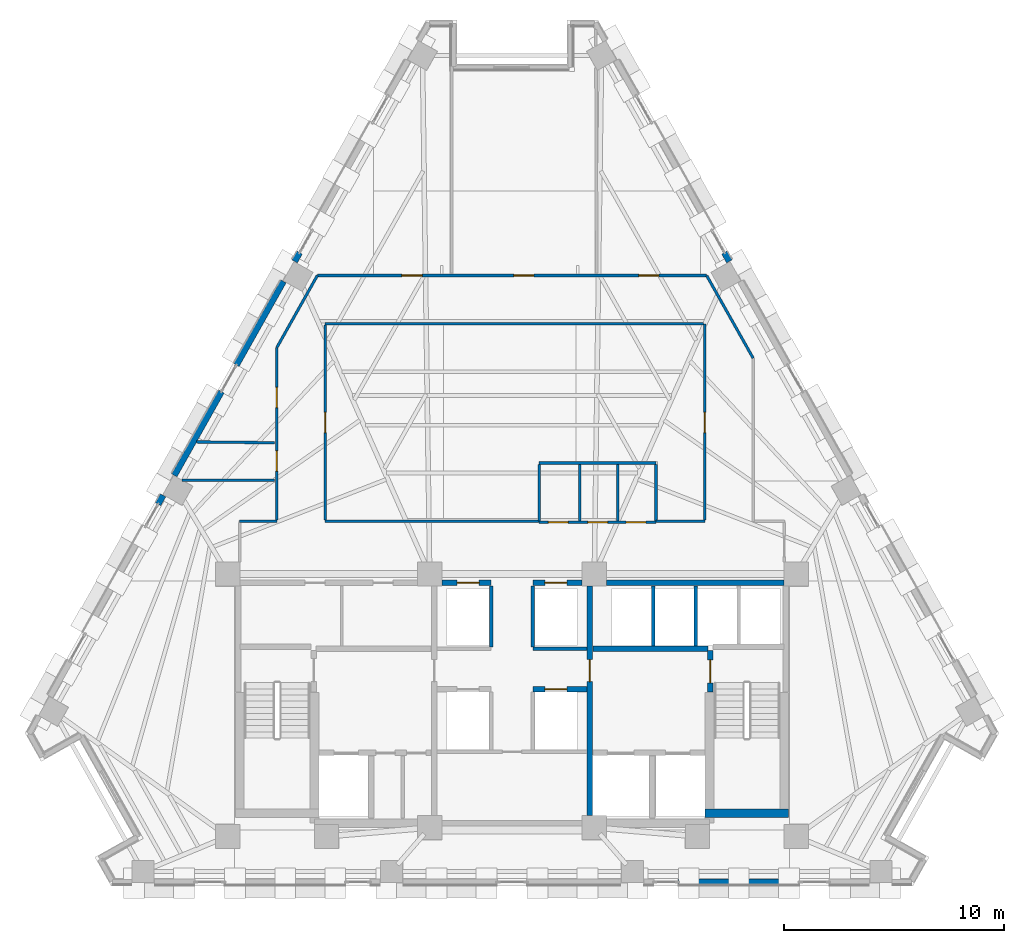
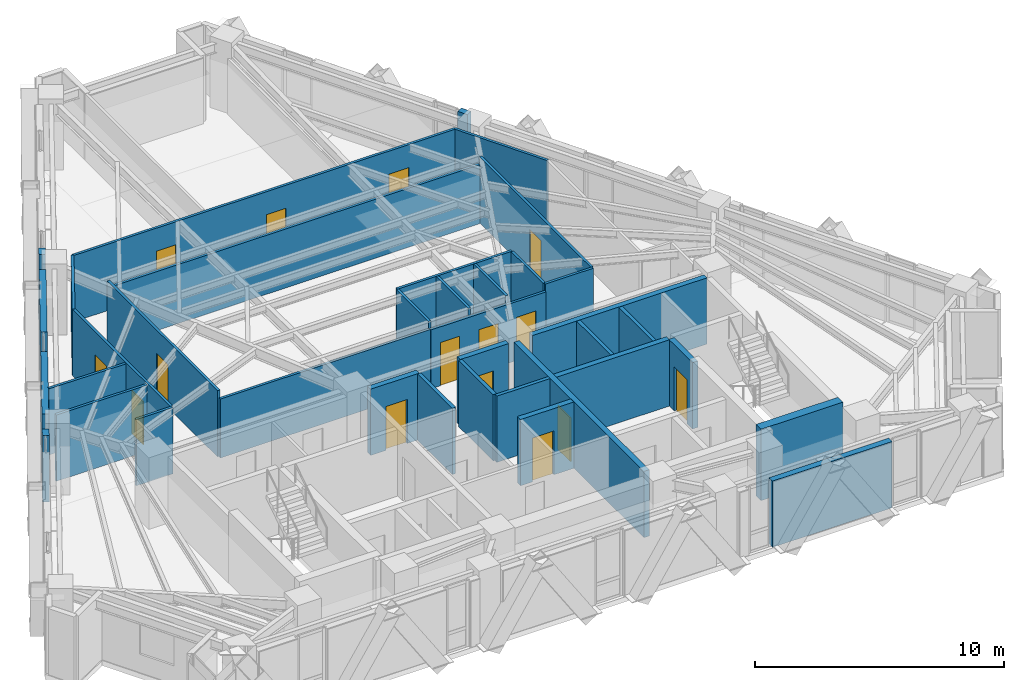
# One storey, part 8 of 13: 37 walls, 15 doors, 15 openings.
"""IFC4 building model written with IfcOpenShell, lengths in metres."""

from ifc_helpers import new_model, si_unit, direction, frame, frame_2d, origin, place, context, subcontext, project, spatial, rectangle, extrude, material, layer, layer_set, type_object, element, fill, save


model = new_model("IFC4")

# Units and contexts
model_context = context("Model", 3, precision=1e-05, world=origin(), true_north=direction((0.0, 1.0)))
body_context = subcontext(model_context, "Body", "Model", "MODEL_VIEW")
ifc_project = project(units=[si_unit("LENGTHUNIT", "METRE"), si_unit("AREAUNIT", "SQUARE_METRE"), si_unit("VOLUMEUNIT", "CUBIC_METRE"), si_unit("PLANEANGLEUNIT", "RADIAN"), si_unit("MASSUNIT", "GRAM", prefix="KILO")], contexts=[model_context])

# Site, building, storey
site_placement = place(None, origin())
site = spatial("IfcSite", under=ifc_project, at=site_placement, CompositionType="ELEMENT")
building_placement = place(site_placement, origin())
building = spatial("IfcBuilding", under=site, at=building_placement, Name="Quenlor Broadcast Tower", CompositionType="ELEMENT")
storey_placement = place(building_placement, frame((0.0, 0.0, 158.0)))
storey = spatial("IfcBuildingStorey", under=building, at=storey_placement, Name="L43", CompositionType="ELEMENT", Elevation=158.0)

# Wall
ifc_material_1 = material(Name="Concrete C50/60", Category="concrete")
ifc_layer_1 = layer(ifc_material_1, 0.39990234375)
ifc_layer_set_1 = layer_set([ifc_layer_1], Name="Core Concrete C50/60 Shear Wall 400")
wall_type_1 = type_object("IfcWallType", Name="Core Concrete C50/60 Shear Wall 400", PredefinedType="SHEAR", material=ifc_layer_set_1)
wall_1_placement = place(storey_placement, frame((8.800048828125, -15.699951171875, 0.0), z_axis=(0.0, 0.0, 1.0), x_axis=(1.0, 0.0, 0.0)))
element("IfcWall", 1, at=wall_1_placement, inside=storey, type_object=wall_type_1, Name="L43 Core Shear Wall WS-E2", PredefinedType="SHEAR", context=body_context, shape_type="SweptSolid", body=[
    extrude(rectangle(XDim=3.800048828125, YDim=0.39990234375, at=frame_2d((1.89990234375, 0.0))), origin(), (0.0, 0.0, 1.0), 3.5),
])

# Wall, opening, door
ifc_material_2 = material(Name="Concrete C40/50", Category="concrete")
ifc_layer_2 = layer(ifc_material_2, 0.25)
ifc_layer_set_2 = layer_set([ifc_layer_2], Name="Fire Rated Concrete C40/50 Core Wall 250")
wall_type_2 = type_object("IfcWallType", Name="Fire Rated Concrete C40/50 Core Wall 250", PredefinedType="PARTITIONING", material=ifc_layer_set_2)
wall_2_placement = place(storey_placement, frame((9.0400390625, -10.179931640625, 0.0), z_axis=(0.0, 0.0, 1.0), x_axis=(0.0, 1.0, 0.0)))
wall_2 = element("IfcWall", 2, at=wall_2_placement, inside=storey, type_object=wall_type_2, Name="L43 Interior Wall CW-ST2-DR", PredefinedType="PARTITIONING", context=body_context, shape_type="SweptSolid", body=[
    extrude(rectangle(XDim=1.89990234375, YDim=0.25, at=frame_2d((0.949951171875, 0.0))), origin(), (0.0, 0.0, 1.0), 3.25),
])
opening_1_placement = place(wall_2_placement, frame((0.419921875, 0.0, 0.0)))
opening_1 = element("IfcOpeningElement", 3, at=opening_1_placement, cuts=wall_2, Name="Opening FD-1", PredefinedType="OPENING", context=body_context, shape_type="SweptSolid", body=[
    extrude(rectangle(XDim=1.050048828125, YDim=2.14990234375, at=frame_2d((0.52490234375, 1.074951171875))), frame((0.0, 0.135009765625, 0.0), z_axis=(0.0, -1.0, 0.0), x_axis=(1.0, 0.0, 0.0)), (0.0, 0.0, 1.0), 0.27001953125),
])
ifc_material_3 = material(Name="Fire Rated Steel Door Leaf", Category="steel")
door_type_1 = type_object("IfcDoorType", Name="Fire Isolated Stair Door 1050x2150", OperationType="NOTDEFINED", PredefinedType="DOOR", material=ifc_material_3)
door_1_placement = place(opening_1_placement, origin())
door_1 = element("IfcDoor", 4, at=door_1_placement, inside=storey, type_object=door_type_1, Name="L43 Door DR-ST2", OperationType="SINGLE_SWING_RIGHT", OverallHeight=2.14990234375, OverallWidth=1.050048828125, PredefinedType="DOOR", context=body_context, shape_type="SweptSolid", body=[
    extrude(rectangle(XDim=1.050048828125, YDim=2.14990234375, at=frame_2d((0.52490234375, 1.074951171875))), frame((0.0, 0.02490234375, 0.0), z_axis=(0.0, -1.0, 0.0), x_axis=(1.0, 0.0, 0.0)), (0.0, 0.0, 1.0), 0.050048828125),
])
fill(opening_1, door_1)

# Wall
wall_3_placement = place(storey_placement, frame((3.679931640625, -8.199951171875, 0.0), z_axis=(0.0, 0.0, 1.0), x_axis=(1.0, 0.0, 0.0)))
element("IfcWall", 5, at=wall_3_placement, inside=storey, type_object=wall_type_2, Name="L43 Interior Wall CW-FFE-N", PredefinedType="PARTITIONING", context=body_context, shape_type="SweptSolid", body=[
    extrude(rectangle(XDim=5.239990234375, YDim=0.25, at=frame_2d((2.6201171875, 0.0))), origin(), (0.0, 0.0, 1.0), 3.25),
])

# Wall, opening, door
wall_4_placement = place(storey_placement, frame((3.550048828125, -15.798095703125, 0.0), z_axis=(0.0, 0.0, 1.0), x_axis=(0.0, 1.0, 0.0)))
wall_4 = element("IfcWall", 6, at=wall_4_placement, inside=storey, type_object=wall_type_2, Name="L43 Interior Wall CW-FFE-W", PredefinedType="PARTITIONING", context=body_context, shape_type="SweptSolid", body=[
    extrude(rectangle(XDim=10.446044921875, YDim=0.25, at=frame_2d((5.22314453125, 0.0))), origin(), (0.0, 0.0, 1.0), 3.25),
])
opening_2_placement = place(wall_4_placement, frame((6.097900390625, 0.0, 0.0)))
opening_2 = element("IfcOpeningElement", 7, at=opening_2_placement, cuts=wall_4, Name="Opening FD-2", PredefinedType="OPENING", context=body_context, shape_type="SweptSolid", body=[
    extrude(rectangle(XDim=1.0, YDim=2.14990234375, at=frame_2d((0.5, 1.074951171875))), frame((0.0, 0.135009765625, 0.0), z_axis=(0.0, -1.0, 0.0), x_axis=(1.0, 0.0, 0.0)), (0.0, 0.0, 1.0), 0.27001953125),
])
ifc_material_4 = material(Name="Fire Rated Glazed Steel Door", Category="steel")
door_type_2 = type_object("IfcDoorType", Name="Firefighting Lobby Smoke Door 1000x2150", OperationType="NOTDEFINED", PredefinedType="DOOR", material=ifc_material_4)
door_2_placement = place(opening_2_placement, origin())
door_2 = element("IfcDoor", 8, at=door_2_placement, inside=storey, type_object=door_type_2, Name="L43 Door DR-FFLE", OperationType="SINGLE_SWING_LEFT", OverallHeight=2.14990234375, OverallWidth=1.0, PredefinedType="DOOR", context=body_context, shape_type="SweptSolid", body=[
    extrude(rectangle(XDim=1.0, YDim=2.14990234375, at=frame_2d((0.5, 1.074951171875))), frame((0.0, 0.02490234375, 0.0), z_axis=(0.0, -1.0, 0.0), x_axis=(1.0, 0.0, 0.0)), (0.0, 0.0, 1.0), 0.050048828125),
])
fill(opening_2, door_2)

# Wall
wall_5_placement = place(storey_placement, frame((4.302001953125, -5.199951171875, 0.0), z_axis=(0.0, 0.0, 1.0), x_axis=(1.0, 0.0, 0.0)))
element("IfcWall", 9, at=wall_5_placement, inside=storey, type_object=wall_type_2, Name="L43 Interior Wall CW-N-E", PredefinedType="PARTITIONING", context=body_context, shape_type="SweptSolid", body=[
    extrude(rectangle(XDim=8.095947265625, YDim=0.25, at=frame_2d((4.0478515625, 0.0))), origin(), (0.0, 0.0, 1.0), 3.25),
])

# Wall, opening, door
wall_6_placement = place(storey_placement, frame((-3.197998046875, -5.199951171875, 0.0), z_axis=(0.0, 0.0, 1.0), x_axis=(1.0, 0.0, 0.0)))
wall_6 = element("IfcWall", 10, at=wall_6_placement, inside=storey, type_object=wall_type_2, Name="L43 Interior Wall CW-N-M1", PredefinedType="PARTITIONING", context=body_context, shape_type="SweptSolid", body=[
    extrude(rectangle(XDim=2.248046875, YDim=0.25, at=frame_2d((1.1240234375, 0.0))), origin(), (0.0, 0.0, 1.0), 3.25),
])
opening_3_placement = place(wall_6_placement, frame((0.697998046875, 0.0, 0.0)))
opening_3 = element("IfcOpeningElement", 11, at=opening_3_placement, cuts=wall_6, Name="Opening LD-PL-M1", PredefinedType="OPENING", context=body_context, shape_type="SweptSolid", body=[
    extrude(rectangle(XDim=1.0, YDim=2.14990234375, at=frame_2d((0.5, 1.074951171875))), frame((0.0, 0.135009765625, 0.0), z_axis=(0.0, -1.0, 0.0), x_axis=(1.0, 0.0, 0.0)), (0.0, 0.0, 1.0), 0.27001953125),
])
ifc_material_5 = material(Name="Brushed Stainless Steel", Category="steel")
door_type_3 = type_object("IfcDoorType", Name="Passenger Lift Sliding Landing Door 1000x2150", OperationType="NOTDEFINED", PredefinedType="DOOR", material=ifc_material_5)
door_3_placement = place(opening_3_placement, origin())
door_3 = element("IfcDoor", 12, at=door_3_placement, inside=storey, type_object=door_type_3, Name="L43 Door LD-PL-M1", OperationType="SLIDING_TO_LEFT", OverallHeight=2.14990234375, OverallWidth=1.0, PredefinedType="DOOR", context=body_context, shape_type="SweptSolid", body=[
    extrude(rectangle(XDim=1.0, YDim=2.14990234375, at=frame_2d((0.5, 1.074951171875))), frame((0.0, 0.02490234375, 0.0), z_axis=(0.0, -1.0, 0.0), x_axis=(1.0, 0.0, 0.0)), (0.0, 0.0, 1.0), 0.050048828125),
])
fill(opening_3, door_3)

wall_7_placement = place(storey_placement, frame((0.949951171875, -5.199951171875, 0.0), z_axis=(0.0, 0.0, 1.0), x_axis=(1.0, 0.0, 0.0)))
wall_7 = element("IfcWall", 13, at=wall_7_placement, inside=storey, type_object=wall_type_2, Name="L43 Interior Wall CW-N-M2", PredefinedType="PARTITIONING", context=body_context, shape_type="SweptSolid", body=[
    extrude(rectangle(XDim=2.248046875, YDim=0.25, at=frame_2d((1.1240234375, 0.0))), origin(), (0.0, 0.0, 1.0), 3.25),
])
opening_4_placement = place(wall_7_placement, frame((0.550048828125, 0.0, 0.0)))
opening_4 = element("IfcOpeningElement", 14, at=opening_4_placement, cuts=wall_7, Name="Opening LD-PL-M2", PredefinedType="OPENING", context=body_context, shape_type="SweptSolid", body=[
    extrude(rectangle(XDim=1.0, YDim=2.14990234375, at=frame_2d((0.5, 1.074951171875))), frame((0.0, 0.135009765625, 0.0), z_axis=(0.0, -1.0, 0.0), x_axis=(1.0, 0.0, 0.0)), (0.0, 0.0, 1.0), 0.27001953125),
])
door_4_placement = place(opening_4_placement, origin())
door_4 = element("IfcDoor", 15, at=door_4_placement, inside=storey, type_object=door_type_3, Name="L43 Door LD-PL-M2", OperationType="SLIDING_TO_RIGHT", OverallHeight=2.14990234375, OverallWidth=1.0, PredefinedType="DOOR", context=body_context, shape_type="SweptSolid", body=[
    extrude(rectangle(XDim=1.0, YDim=2.14990234375, at=frame_2d((0.5, 1.074951171875))), frame((0.0, 0.02490234375, 0.0), z_axis=(0.0, -1.0, 0.0), x_axis=(1.0, 0.0, 0.0)), (0.0, 0.0, 1.0), 0.050048828125),
])
fill(opening_4, door_4)

wall_8_placement = place(storey_placement, frame((0.949951171875, -10.050048828125, 0.0), z_axis=(0.0, 0.0, 1.0), x_axis=(1.0, 0.0, 0.0)))
wall_8 = element("IfcWall", 16, at=wall_8_placement, inside=storey, type_object=wall_type_2, Name="L43 Interior Wall CW-MS-N2", PredefinedType="PARTITIONING", context=body_context, shape_type="SweptSolid", body=[
    extrude(rectangle(XDim=2.469970703125, YDim=0.25, at=frame_2d((1.23486328125, 0.0))), origin(), (0.0, 0.0, 1.0), 3.25),
])
opening_5_placement = place(wall_8_placement, frame((0.550048828125, 0.0, 0.0)))
opening_5 = element("IfcOpeningElement", 17, at=opening_5_placement, cuts=wall_8, Name="Opening LD-PL-M4", PredefinedType="OPENING", context=body_context, shape_type="SweptSolid", body=[
    extrude(rectangle(XDim=1.0, YDim=2.14990234375, at=frame_2d((0.5, 1.074951171875))), frame((0.0, 0.135009765625, 0.0), z_axis=(0.0, -1.0, 0.0), x_axis=(1.0, 0.0, 0.0)), (0.0, 0.0, 1.0), 0.27001953125),
])
door_5_placement = place(opening_5_placement, origin())
door_5 = element("IfcDoor", 18, at=door_5_placement, inside=storey, type_object=door_type_3, Name="L43 Door LD-PL-M4", OperationType="SLIDING_TO_RIGHT", OverallHeight=2.14990234375, OverallWidth=1.0, PredefinedType="DOOR", context=body_context, shape_type="SweptSolid", body=[
    extrude(rectangle(XDim=1.0, YDim=2.14990234375, at=frame_2d((0.5, 1.074951171875))), frame((0.0, 0.02490234375, 0.0), z_axis=(0.0, -1.0, 0.0), x_axis=(1.0, 0.0, 0.0)), (0.0, 0.0, 1.0), 0.050048828125),
])
fill(opening_5, door_5)

# Walls
ifc_material_6 = material(Name="Gypsum Fireboard Partition", Category="other")
ifc_layer_3 = layer(ifc_material_6, 0.159912109375)
ifc_layer_set_3 = layer_set([ifc_layer_3], Name="Fire Rated Shaft and Corridor Partition 160")
wall_type_3 = type_object("IfcWallType", Name="Fire Rated Shaft and Corridor Partition 160", PredefinedType="PARTITIONING", material=ifc_layer_set_3)
for number, where, z_axis, x_axis, name in (
    (19, (6.425048828125, -8.072998046875, 0.0), (0.0, 0.0, 1.0), (0.0, 1.0, 0.0), "L43 Interior Wall CW-PLH-D1"),
    (20, (8.375, -8.072998046875, 0.0), (0.0, 0.0, 1.0), (0.0, 1.0, 0.0), "L43 Interior Wall CW-PLH-D2"),
):
    element("IfcWall", number, at=place(storey_placement, frame(where, z_axis=z_axis, x_axis=x_axis)), inside=storey, type_object=wall_type_3, Name=name, PredefinedType="PARTITIONING", context=body_context, shape_type="SweptSolid", body=[
        extrude(rectangle(XDim=2.73291015625, YDim=0.159912109375, at=frame_2d((1.366455078125, 0.0))), origin(), (0.0, 0.0, 1.0), 3.25),
    ])
for number, where, z_axis, x_axis, name in (
    (21, (-0.949951171875, -8.1201171875, 0.0), (0.0, 0.0, 1.0), (0.0, 1.0, 0.0), "L43 Interior Wall CW-CCRP-W"),
    (22, (0.949951171875, -8.1201171875, 0.0), (0.0, 0.0, 1.0), (0.0, 1.0, 0.0), "L43 Interior Wall CW-CCRP-E"),
):
    element("IfcWall", number, at=place(storey_placement, frame(where, z_axis=z_axis, x_axis=x_axis)), inside=storey, type_object=wall_type_3, Name=name, PredefinedType="PARTITIONING", context=body_context, shape_type="SweptSolid", body=[
        extrude(rectangle(XDim=2.780029296875, YDim=0.159912109375, at=frame_2d((1.39013671875, 0.0))), origin(), (0.0, 0.0, 1.0), 3.25),
    ])
wall_9_placement = place(storey_placement, frame((0.949951171875, -8.199951171875, 0.0), z_axis=(0.0, 0.0, 1.0), x_axis=(1.0, 0.0, 0.0)))
element("IfcWall", 23, at=wall_9_placement, inside=storey, type_object=wall_type_3, Name="L43 Interior Wall CW-M-BACK2", PredefinedType="PARTITIONING", context=body_context, shape_type="SweptSolid", body=[
    extrude(rectangle(XDim=2.469970703125, YDim=0.159912109375, at=frame_2d((1.23486328125, 0.0))), origin(), (0.0, 0.0, 1.0), 3.25),
])

# Wall, openings, doors
ifc_material_7 = material(Name="Gypsum Plasterboard Partition", Category="other")
ifc_layer_4 = layer(ifc_material_7, 0.1201171875)
ifc_layer_set_4 = layer_set([ifc_layer_4], Name="Standard Office Partition 120")
wall_type_4 = type_object("IfcWallType", Name="Standard Office Partition 120", PredefinedType="PARTITIONING", material=ifc_layer_set_4)
wall_10_placement = place(storey_placement, frame((1.239990234375, -2.43994140625, 0.0), z_axis=(0.0, 0.0, 1.0), x_axis=(1.0, 0.0, 0.0)))
wall_10 = element("IfcWall", 24, at=wall_10_placement, inside=storey, type_object=wall_type_4, Name="L43 Interior Wall PW-WC-S", PredefinedType="PARTITIONING", context=body_context, shape_type="SweptSolid", body=[
    extrude(rectangle(XDim=5.320068359375, YDim=0.1201171875, at=frame_2d((2.66015625, 0.0))), origin(), (0.0, 0.0, 1.0), 2.891357421875),
])
opening_6_placement = place(wall_10_placement, frame((0.419921875, 0.0, 0.0)))
opening_6 = element("IfcOpeningElement", 25, at=opening_6_placement, cuts=wall_10, Name="Opening ID-3", PredefinedType="OPENING", context=body_context, shape_type="SweptSolid", body=[
    extrude(rectangle(XDim=0.89990234375, YDim=2.1201171875, at=frame_2d((0.449951171875, 1.06005859375))), frame((0.0, 0.070068359375, 0.0), z_axis=(0.0, -1.0, 0.0), x_axis=(1.0, 0.0, 0.0)), (0.0, 0.0, 1.0), 0.14013671875),
])
opening_7_placement = place(wall_10_placement, frame((2.219970703125, 0.0, 0.0)))
opening_7 = element("IfcOpeningElement", 26, at=opening_7_placement, cuts=wall_10, Name="Opening ID-3", PredefinedType="OPENING", context=body_context, shape_type="SweptSolid", body=[
    extrude(rectangle(XDim=0.89990234375, YDim=2.1201171875, at=frame_2d((0.449951171875, 1.06005859375))), frame((0.0, 0.070068359375, 0.0), z_axis=(0.0, -1.0, 0.0), x_axis=(1.0, 0.0, 0.0)), (0.0, 0.0, 1.0), 0.14013671875),
])
opening_8_placement = place(wall_10_placement, frame((3.9599609375, 0.0, 0.0)))
opening_8 = element("IfcOpeningElement", 27, at=opening_8_placement, cuts=wall_10, Name="Opening ID-3", PredefinedType="OPENING", context=body_context, shape_type="SweptSolid", body=[
    extrude(rectangle(XDim=0.89990234375, YDim=2.1201171875, at=frame_2d((0.449951171875, 1.06005859375))), frame((0.0, 0.070068359375, 0.0), z_axis=(0.0, -1.0, 0.0), x_axis=(1.0, 0.0, 0.0)), (0.0, 0.0, 1.0), 0.14013671875),
])
ifc_material_8 = material(Name="Moisture Resistant Timber Oak", Category="wood")
door_type_4 = type_object("IfcDoorType", Name="Washroom Privacy Door 900x2120", OperationType="NOTDEFINED", PredefinedType="DOOR", material=ifc_material_8)
door_6_placement = place(opening_6_placement, origin())
door_6 = element("IfcDoor", 28, at=door_6_placement, inside=storey, type_object=door_type_4, Name="L43 Door DR-AWC", OperationType="SINGLE_SWING_LEFT", OverallHeight=2.1201171875, OverallWidth=0.89990234375, PredefinedType="DOOR", context=body_context, shape_type="SweptSolid", body=[
    extrude(rectangle(XDim=0.89990234375, YDim=2.1201171875, at=frame_2d((0.449951171875, 1.06005859375))), frame((0.0, 0.02490234375, 0.0), z_axis=(0.0, -1.0, 0.0), x_axis=(1.0, 0.0, 0.0)), (0.0, 0.0, 1.0), 0.050048828125),
])
fill(opening_6, door_6)
door_7_placement = place(opening_7_placement, origin())
door_7 = element("IfcDoor", 29, at=door_7_placement, inside=storey, type_object=door_type_4, Name="L43 Door DR-MWC", OperationType="SINGLE_SWING_LEFT", OverallHeight=2.1201171875, OverallWidth=0.89990234375, PredefinedType="DOOR", context=body_context, shape_type="SweptSolid", body=[
    extrude(rectangle(XDim=0.89990234375, YDim=2.1201171875, at=frame_2d((0.449951171875, 1.06005859375))), frame((0.0, 0.02490234375, 0.0), z_axis=(0.0, -1.0, 0.0), x_axis=(1.0, 0.0, 0.0)), (0.0, 0.0, 1.0), 0.050048828125),
])
fill(opening_7, door_7)
door_8_placement = place(opening_8_placement, origin())
door_8 = element("IfcDoor", 30, at=door_8_placement, inside=storey, type_object=door_type_4, Name="L43 Door DR-FWC", OperationType="SINGLE_SWING_RIGHT", OverallHeight=2.1201171875, OverallWidth=0.89990234375, PredefinedType="DOOR", context=body_context, shape_type="SweptSolid", body=[
    extrude(rectangle(XDim=0.89990234375, YDim=2.1201171875, at=frame_2d((0.449951171875, 1.06005859375))), frame((0.0, 0.02490234375, 0.0), z_axis=(0.0, -1.0, 0.0), x_axis=(1.0, 0.0, 0.0)), (0.0, 0.0, 1.0), 0.050048828125),
])
fill(opening_8, door_8)

# Walls
wall_11_placement = place(storey_placement, frame((1.239990234375, 0.260009765625, 0.0), z_axis=(0.0, 0.0, 1.0), x_axis=(1.0, 0.0, 0.0)))
element("IfcWall", 31, at=wall_11_placement, inside=storey, type_object=wall_type_4, Name="L43 Interior Wall PW-WC-N", PredefinedType="PARTITIONING", context=body_context, shape_type="SweptSolid", body=[
    extrude(rectangle(XDim=5.320068359375, YDim=0.1201171875, at=frame_2d((2.66015625, 0.0))), origin(), (0.0, 0.0, 1.0), 3.25),
])
for number, where, z_axis, x_axis, name in (
    (32, (1.239990234375, -2.3779296875, 0.0), (0.0, 0.0, 1.0), (0.0, 1.0, 0.0), "L43 Interior Wall PW-WC-W"),
    (33, (3.080078125, -2.3779296875, 0.0), (0.0, 0.0, 1.0), (0.0, 1.0, 0.0), "L43 Interior Wall PW-WC-M1"),
    (34, (4.820068359375, -2.3779296875, 0.0), (0.0, 0.0, 1.0), (0.0, 1.0, 0.0), "L43 Interior Wall PW-WC-M2"),
    (35, (6.56005859375, -2.3779296875, 0.0), (0.0, 0.0, 1.0), (0.0, 1.0, 0.0), "L43 Interior Wall PW-WC-E"),
):
    element("IfcWall", number, at=place(storey_placement, frame(where, z_axis=z_axis, x_axis=x_axis)), inside=storey, type_object=wall_type_4, Name=name, PredefinedType="PARTITIONING", context=body_context, shape_type="SweptSolid", body=[
        extrude(rectangle(XDim=2.575927734375, YDim=0.1201171875, at=frame_2d((1.2880859375, 0.0))), origin(), (0.0, 0.0, 1.0), 3.25),
    ])
wall_12_placement = place(storey_placement, frame((-12.409912109375, -2.39990234375, 0.0), z_axis=(0.0, 0.0, 1.0), x_axis=(1.0, 0.0, 0.0)))
element("IfcWall", 36, at=wall_12_placement, inside=storey, type_object=wall_type_4, Name="L43 Interior Wall PW-CR-01", PredefinedType="PARTITIONING", context=body_context, shape_type="SweptSolid", body=[
    extrude(rectangle(XDim=1.69482421875, YDim=0.1201171875, at=frame_2d((0.847412109375, 0.0))), origin(), (0.0, 0.0, 1.0), 3.25),
])

# Wall, openings, doors
wall_13_placement = place(storey_placement, frame((-10.715087890625, -2.337890625, 0.0), z_axis=(0.0, 0.0, 1.0), x_axis=(0.0, 1.0, 0.0)))
wall_13 = element("IfcWall", 37, at=wall_13_placement, inside=storey, type_object=wall_type_4, Name="L43 Interior Wall PW-CR-02", PredefinedType="PARTITIONING", context=body_context, shape_type="SweptSolid", body=[
    extrude(rectangle(XDim=7.853759765625, YDim=0.1201171875, at=frame_2d((3.9267578125, 0.0))), origin(), (0.0, 0.0, 1.0), 3.25),
])
opening_9_placement = place(wall_13_placement, frame((5.116943359375, 0.0, 0.0)))
opening_9 = element("IfcOpeningElement", 38, at=opening_9_placement, cuts=wall_13, Name="Opening ID-1", PredefinedType="OPENING", context=body_context, shape_type="SweptSolid", body=[
    extrude(rectangle(XDim=0.919921875, YDim=2.1201171875, at=frame_2d((0.4599609375, 1.06005859375))), frame((0.0, 0.070068359375, 0.0), z_axis=(0.0, -1.0, 0.0), x_axis=(1.0, 0.0, 0.0)), (0.0, 0.0, 1.0), 0.14013671875),
])
opening_10_placement = place(wall_13_placement, frame((2.22802734375, 0.0, 0.0)))
opening_10 = element("IfcOpeningElement", 39, at=opening_10_placement, cuts=wall_13, Name="Opening ID-1", PredefinedType="OPENING", context=body_context, shape_type="SweptSolid", body=[
    extrude(rectangle(XDim=0.919921875, YDim=2.1201171875, at=frame_2d((0.4599609375, 1.06005859375))), frame((0.0, 0.070068359375, 0.0), z_axis=(0.0, -1.0, 0.0), x_axis=(1.0, 0.0, 0.0)), (0.0, 0.0, 1.0), 0.14013671875),
])
ifc_material_9 = material(Name="Solid Core Timber Oak", Category="wood")
door_type_5 = type_object("IfcDoorType", Name="Single Leaf Timber Office Door 920x2120", OperationType="NOTDEFINED", PredefinedType="DOOR", material=ifc_material_9)
door_9_placement = place(opening_9_placement, origin())
door_9 = element("IfcDoor", 40, at=door_9_placement, inside=storey, type_object=door_type_5, Name="L43 Door DR-RM04", OperationType="SINGLE_SWING_RIGHT", OverallHeight=2.1201171875, OverallWidth=0.919921875, PredefinedType="DOOR", context=body_context, shape_type="SweptSolid", body=[
    extrude(rectangle(XDim=0.919921875, YDim=2.1201171875, at=frame_2d((0.4599609375, 1.06005859375))), frame((0.0, 0.02490234375, 0.0), z_axis=(0.0, -1.0, 0.0), x_axis=(1.0, 0.0, 0.0)), (0.0, 0.0, 1.0), 0.050048828125),
])
fill(opening_9, door_9)
door_10_placement = place(opening_10_placement, origin())
door_10 = element("IfcDoor", 41, at=door_10_placement, inside=storey, type_object=door_type_5, Name="L43 Door DR-RM07", OperationType="SINGLE_SWING_LEFT", OverallHeight=2.1201171875, OverallWidth=0.919921875, PredefinedType="DOOR", context=body_context, shape_type="SweptSolid", body=[
    extrude(rectangle(XDim=0.919921875, YDim=2.1201171875, at=frame_2d((0.4599609375, 1.06005859375))), frame((0.0, 0.02490234375, 0.0), z_axis=(0.0, -1.0, 0.0), x_axis=(1.0, 0.0, 0.0)), (0.0, 0.0, 1.0), 0.050048828125),
])
fill(opening_10, door_10)

# Wall
wall_14_placement = place(storey_placement, frame((-10.7138671875, 5.517822265625, 0.0), z_axis=(0.0, 0.0, 1.0), x_axis=(0.490248927543, 0.871582462561, 0.0)))
element("IfcWall", 42, at=wall_14_placement, inside=storey, type_object=wall_type_4, Name="L43 Interior Wall PW-CR-03", PredefinedType="PARTITIONING", context=body_context, shape_type="SweptSolid", body=[
    extrude(rectangle(XDim=3.765869140625, YDim=0.1201171875, at=frame_2d((1.8828125, 0.0))), origin(), (0.0, 0.0, 1.0), 3.25),
])

# Wall, openings, doors
wall_15_placement = place(storey_placement, frame((-8.863525390625, 8.800048828125, 0.0), z_axis=(0.0, 0.0, 1.0), x_axis=(1.0, 0.0, 0.0)))
wall_15 = element("IfcWall", 43, at=wall_15_placement, inside=storey, type_object=wall_type_4, Name="L43 Interior Wall PW-CR-04", PredefinedType="PARTITIONING", context=body_context, shape_type="SweptSolid", body=[
    extrude(rectangle(XDim=17.731201171875, YDim=0.1201171875, at=frame_2d((8.86572265625, 0.0))), origin(), (0.0, 0.0, 1.0), 3.25),
])
opening_11_placement = place(wall_15_placement, frame((3.844970703125, 0.0, 0.0)))
opening_11 = element("IfcOpeningElement", 44, at=opening_11_placement, cuts=wall_15, Name="Opening ID-1", PredefinedType="OPENING", context=body_context, shape_type="SweptSolid", body=[
    extrude(rectangle(XDim=0.919921875, YDim=2.1201171875, at=frame_2d((0.4599609375, 1.06005859375))), frame((0.0, 0.070068359375, 0.0), z_axis=(0.0, -1.0, 0.0), x_axis=(1.0, 0.0, 0.0)), (0.0, 0.0, 1.0), 0.14013671875),
])
opening_12_placement = place(wall_15_placement, frame((8.945068359375, 0.0, 0.0)))
opening_12 = element("IfcOpeningElement", 45, at=opening_12_placement, cuts=wall_15, Name="Opening ID-1", PredefinedType="OPENING", context=body_context, shape_type="SweptSolid", body=[
    extrude(rectangle(XDim=0.919921875, YDim=2.1201171875, at=frame_2d((0.4599609375, 1.06005859375))), frame((0.0, 0.070068359375, 0.0), z_axis=(0.0, -1.0, 0.0), x_axis=(1.0, 0.0, 0.0)), (0.0, 0.0, 1.0), 0.14013671875),
])
opening_13_placement = place(wall_15_placement, frame((14.637939453125, 0.0, 0.0)))
opening_13 = element("IfcOpeningElement", 46, at=opening_13_placement, cuts=wall_15, Name="Opening ID-1", PredefinedType="OPENING", context=body_context, shape_type="SweptSolid", body=[
    extrude(rectangle(XDim=0.919921875, YDim=2.1201171875, at=frame_2d((0.4599609375, 1.06005859375))), frame((0.0, 0.070068359375, 0.0), z_axis=(0.0, -1.0, 0.0), x_axis=(1.0, 0.0, 0.0)), (0.0, 0.0, 1.0), 0.14013671875),
])
door_11_placement = place(opening_11_placement, origin())
door_11 = element("IfcDoor", 47, at=door_11_placement, inside=storey, type_object=door_type_5, Name="L43 Door DR-RM01", OperationType="SINGLE_SWING_LEFT", OverallHeight=2.1201171875, OverallWidth=0.919921875, PredefinedType="DOOR", context=body_context, shape_type="SweptSolid", body=[
    extrude(rectangle(XDim=0.919921875, YDim=2.1201171875, at=frame_2d((0.4599609375, 1.06005859375))), frame((0.0, 0.02490234375, 0.0), z_axis=(0.0, -1.0, 0.0), x_axis=(1.0, 0.0, 0.0)), (0.0, 0.0, 1.0), 0.050048828125),
])
fill(opening_11, door_11)
door_12_placement = place(opening_12_placement, origin())
door_12 = element("IfcDoor", 48, at=door_12_placement, inside=storey, type_object=door_type_5, Name="L43 Door DR-RM02", OperationType="SINGLE_SWING_RIGHT", OverallHeight=2.1201171875, OverallWidth=0.919921875, PredefinedType="DOOR", context=body_context, shape_type="SweptSolid", body=[
    extrude(rectangle(XDim=0.919921875, YDim=2.1201171875, at=frame_2d((0.4599609375, 1.06005859375))), frame((0.0, 0.02490234375, 0.0), z_axis=(0.0, -1.0, 0.0), x_axis=(1.0, 0.0, 0.0)), (0.0, 0.0, 1.0), 0.050048828125),
])
fill(opening_12, door_12)
door_13_placement = place(opening_13_placement, origin())
door_13 = element("IfcDoor", 49, at=door_13_placement, inside=storey, type_object=door_type_5, Name="L43 Door DR-RM03", OperationType="SINGLE_SWING_LEFT", OverallHeight=2.1201171875, OverallWidth=0.919921875, PredefinedType="DOOR", context=body_context, shape_type="SweptSolid", body=[
    extrude(rectangle(XDim=0.919921875, YDim=2.1201171875, at=frame_2d((0.4599609375, 1.06005859375))), frame((0.0, 0.02490234375, 0.0), z_axis=(0.0, -1.0, 0.0), x_axis=(1.0, 0.0, 0.0)), (0.0, 0.0, 1.0), 0.050048828125),
])
fill(opening_13, door_13)

# Walls
wall_16_placement = place(storey_placement, frame((8.86962890625, 8.79638671875, 0.0), z_axis=(0.0, 0.0, 1.0), x_axis=(0.490296163189, -0.871555891703, 0.0)))
element("IfcWall", 50, at=wall_16_placement, inside=storey, type_object=wall_type_4, Name="L43 Interior Wall PW-CR-05", PredefinedType="PARTITIONING", context=body_context, shape_type="SweptSolid", body=[
    extrude(rectangle(XDim=4.314697265625, YDim=0.1201171875, at=frame_2d((2.1572265625, 0.0))), origin(), (0.0, 0.0, 1.0), 3.25),
])
wall_17_placement = place(storey_placement, frame((-8.514892578125, -2.39990234375, 0.0), z_axis=(0.0, 0.0, 1.0), x_axis=(1.0, 0.0, 0.0)))
element("IfcWall", 51, at=wall_17_placement, inside=storey, type_object=wall_type_4, Name="L43 Interior Wall PW-CR-10", PredefinedType="PARTITIONING", context=body_context, shape_type="SweptSolid", body=[
    extrude(rectangle(XDim=9.7529296875, YDim=0.1201171875, at=frame_2d((4.87646484375, 0.0))), origin(), (0.0, 0.0, 1.0), 2.891357421875),
])
wall_18_placement = place(storey_placement, frame((6.56201171875, -2.39990234375, 0.0), z_axis=(0.0, 0.0, 1.0), x_axis=(1.0, 0.0, 0.0)))
element("IfcWall", 52, at=wall_18_placement, inside=storey, type_object=wall_type_4, Name="L43 Interior Wall PW-CR-10S2", PredefinedType="PARTITIONING", context=body_context, shape_type="SweptSolid", body=[
    extrude(rectangle(XDim=2.222900390625, YDim=0.1201171875, at=frame_2d((1.111328125, 0.0))), origin(), (0.0, 0.0, 1.0), 3.25),
])

# Wall, opening, door
wall_19_placement = place(storey_placement, frame((8.784912109375, -2.337890625, 0.0), z_axis=(0.0, 0.0, 1.0), x_axis=(0.0, 1.0, 0.0)))
wall_19 = element("IfcWall", 53, at=wall_19_placement, inside=storey, type_object=wall_type_4, Name="L43 Interior Wall PW-CR-11", PredefinedType="PARTITIONING", context=body_context, shape_type="SweptSolid", body=[
    extrude(rectangle(XDim=8.93798828125, YDim=0.1201171875, at=frame_2d((4.468994140625, 0.0))), origin(), (0.0, 0.0, 1.0), 3.25),
])
opening_14_placement = place(wall_19_placement, frame((3.97802734375, 0.0, 0.0)))
opening_14 = element("IfcOpeningElement", 54, at=opening_14_placement, cuts=wall_19, Name="Opening ID-1", PredefinedType="OPENING", context=body_context, shape_type="SweptSolid", body=[
    extrude(rectangle(XDim=0.919921875, YDim=2.1201171875, at=frame_2d((0.4599609375, 1.06005859375))), frame((0.0, 0.070068359375, 0.0), z_axis=(0.0, -1.0, 0.0), x_axis=(1.0, 0.0, 0.0)), (0.0, 0.0, 1.0), 0.14013671875),
])
door_14_placement = place(opening_14_placement, origin())
door_14 = element("IfcDoor", 55, at=door_14_placement, inside=storey, type_object=door_type_5, Name="L43 Door DR-RM05", OperationType="SINGLE_SWING_LEFT", OverallHeight=2.1201171875, OverallWidth=0.919921875, PredefinedType="DOOR", context=body_context, shape_type="SweptSolid", body=[
    extrude(rectangle(XDim=0.919921875, YDim=2.1201171875, at=frame_2d((0.4599609375, 1.06005859375))), frame((0.0, 0.02490234375, 0.0), z_axis=(0.0, -1.0, 0.0), x_axis=(1.0, 0.0, 0.0)), (0.0, 0.0, 1.0), 0.050048828125),
])
fill(opening_14, door_14)

# Wall
wall_20_placement = place(storey_placement, frame((8.722900390625, 6.60009765625, 0.0), z_axis=(0.0, 0.0, 1.0), x_axis=(-1.0, 0.0, 0.0)))
element("IfcWall", 56, at=wall_20_placement, inside=storey, type_object=wall_type_4, Name="L43 Interior Wall PW-CR-12", PredefinedType="PARTITIONING", context=body_context, shape_type="SweptSolid", body=[
    extrude(rectangle(XDim=17.23779296875, YDim=0.1201171875, at=frame_2d((8.618896484375, 0.0))), origin(), (0.0, 0.0, 1.0), 2.891357421875),
])

# Wall, opening, door
wall_21_placement = place(storey_placement, frame((-8.514892578125, 6.5380859375, 0.0), z_axis=(0.0, 0.0, 1.0), x_axis=(0.0, -1.0, 0.0)))
wall_21 = element("IfcWall", 57, at=wall_21_placement, inside=storey, type_object=wall_type_4, Name="L43 Interior Wall PW-CR-13", PredefinedType="PARTITIONING", context=body_context, shape_type="SweptSolid", body=[
    extrude(rectangle(XDim=8.8759765625, YDim=0.1201171875, at=frame_2d((4.43798828125, 0.0))), origin(), (0.0, 0.0, 1.0), 3.25),
])
opening_15_placement = place(wall_21_placement, frame((3.97802734375, 0.0, 0.0)))
opening_15 = element("IfcOpeningElement", 58, at=opening_15_placement, cuts=wall_21, Name="Opening ID-1", PredefinedType="OPENING", context=body_context, shape_type="SweptSolid", body=[
    extrude(rectangle(XDim=0.919921875, YDim=2.1201171875, at=frame_2d((0.4599609375, 1.06005859375))), frame((0.0, 0.070068359375, 0.0), z_axis=(0.0, -1.0, 0.0), x_axis=(1.0, 0.0, 0.0)), (0.0, 0.0, 1.0), 0.14013671875),
])
door_15_placement = place(opening_15_placement, origin())
door_15 = element("IfcDoor", 59, at=door_15_placement, inside=storey, type_object=door_type_5, Name="L43 Door DR-RM06", OperationType="SINGLE_SWING_RIGHT", OverallHeight=2.1201171875, OverallWidth=0.919921875, PredefinedType="DOOR", context=body_context, shape_type="SweptSolid", body=[
    extrude(rectangle(XDim=0.919921875, YDim=2.1201171875, at=frame_2d((0.4599609375, 1.06005859375))), frame((0.0, 0.02490234375, 0.0), z_axis=(0.0, -1.0, 0.0), x_axis=(1.0, 0.0, 0.0)), (0.0, 0.0, 1.0), 0.050048828125),
])
fill(opening_15, door_15)

# Walls
wall_22_placement = place(storey_placement, frame((-10.824951171875, 1.181640625, 0.0), z_axis=(0.0, 0.0, 1.0), x_axis=(-0.999943542972, 0.010625952637, 0.0)))
element("IfcWall", 60, at=wall_22_placement, inside=storey, type_object=wall_type_4, Name="L43 Interior Wall PW-DV-03", PredefinedType="PARTITIONING", context=body_context, shape_type="SweptSolid", body=[
    extrude(rectangle(XDim=3.538330078125, YDim=0.1201171875, at=frame_2d((1.76904296875, 0.0))), origin(), (0.0, 0.0, 1.0), 3.25),
])
wall_23_placement = place(storey_placement, frame((-10.824951171875, -0.520263671875, 0.0), z_axis=(0.0, 0.0, 1.0), x_axis=(-1.0, 0.0, 0.0)))
element("IfcWall", 61, at=wall_23_placement, inside=storey, type_object=wall_type_4, Name="L43 Interior Wall PW-DV-04", PredefinedType="PARTITIONING", context=body_context, shape_type="SweptSolid", body=[
    extrude(rectangle(XDim=4.21142578125, YDim=0.1201171875, at=frame_2d((2.105712890625, 0.0))), origin(), (0.0, 0.0, 1.0), 3.25),
])
ifc_material_10 = material(Name="Precast concrete C40/50", Category="concrete")
ifc_layer_5 = layer(ifc_material_10, 0.280029296875)
ifc_layer_set_5 = layer_set([ifc_layer_5], Name="Terracotta Precast Concrete C40/50 Facade Wall 280")
wall_type_5 = type_object("IfcWallType", Name="Terracotta Precast Concrete C40/50 Facade Wall 280", PredefinedType="STANDARD", material=ifc_layer_set_5)
wall_24_placement = place(storey_placement, frame((13.10693359375, -18.824951171875, 0.0), z_axis=(0.0, 0.0, 1.0), x_axis=(-1.0, 0.0, 0.0)))
element("IfcWall", 62, at=wall_24_placement, inside=storey, type_object=wall_type_5, Name="L43 Exterior Wall L43-SA-SP2", PredefinedType="STANDARD", context=body_context, shape_type="SweptSolid", body=[
    extrude(rectangle(XDim=5.550048828125, YDim=0.280029296875, at=frame_2d((2.77490234375, 0.0))), origin(), (0.0, 0.0, 1.0), 3.25),
])
for number, where, z_axis, x_axis, name in (
    (63, (9.674072265625, 9.8447265625, 0.0), (0.0, 0.0, 1.0), (0.490412424957, -0.871490478116, 0.0), "L43 Exterior Wall L43-NEA-SP3"),
    (64, (-16.120849609375, -1.6162109375, 0.0), (0.0, 0.0, 1.0), (0.490009165718, 0.871717280724, 0.0), "L43 Exterior Wall L43-NWA-SP3"),
    (65, (-9.899658203125, 9.44384765625, 0.0), (0.0, 0.0, 1.0), (0.490412424957, 0.871490478116, 0.0), "L43 Exterior Wall L43-NWC-SP1"),
):
    element("IfcWall", number, at=place(storey_placement, frame(where, z_axis=z_axis, x_axis=x_axis)), inside=storey, type_object=wall_type_5, Name=name, PredefinedType="STANDARD", context=body_context, shape_type="SweptSolid", body=[
        extrude(rectangle(XDim=0.4599609375, YDim=0.280029296875, at=frame_2d((0.22998046875, 0.0))), origin(), (0.0, 0.0, 1.0), 3.25),
    ])
wall_25_placement = place(storey_placement, frame((-15.383056640625, -0.3046875, 0.0), z_axis=(0.0, 0.0, 1.0), x_axis=(0.490232095789, 0.871591929895, 0.0)))
element("IfcWall", 66, at=wall_25_placement, inside=storey, type_object=wall_type_5, Name="L43 Exterior Wall L43-NW-SP1", PredefinedType="STANDARD", context=body_context, shape_type="SweptSolid", body=[
    extrude(rectangle(XDim=4.375, YDim=0.280029296875, at=frame_2d((2.1875, 0.0))), origin(), (0.0, 0.0, 1.0), 3.25),
])
wall_26_placement = place(storey_placement, frame((-12.556884765625, 4.7197265625, 0.0), z_axis=(0.0, 0.0, 1.0), x_axis=(0.490274486291, 0.871568085747, 0.0)))
element("IfcWall", 67, at=wall_26_placement, inside=storey, type_object=wall_type_5, Name="L43 Exterior Wall L43-NW-SP2", PredefinedType="STANDARD", context=body_context, shape_type="SweptSolid", body=[
    extrude(rectangle(XDim=4.375244140625, YDim=0.280029296875, at=frame_2d((2.1875, 0.0))), origin(), (0.0, 0.0, 1.0), 3.25),
])

save(model, "model.ifc")
